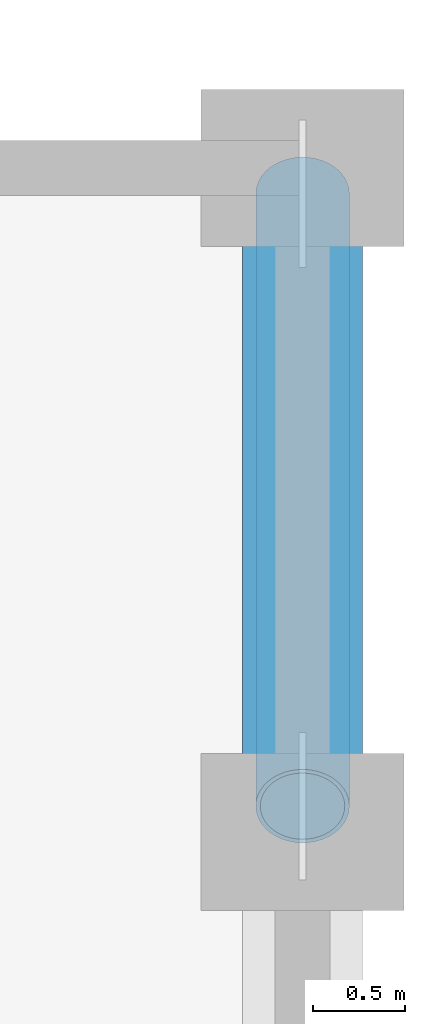
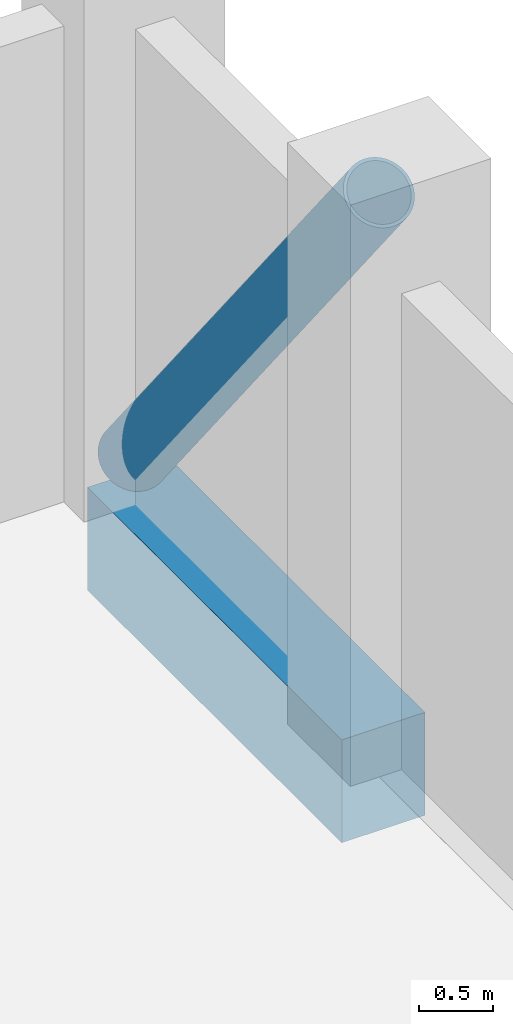
# One storey, part 13 of 22: 1 beam, 1 member.
"""IFC4 building model written with IfcOpenShell, lengths in metres."""

from ifc_helpers import new_model, si_unit, direction, frame, origin, origin_2d, place, context, subcontext, project, spatial, rectangle, hollow_circle, extrude, material, material_profile, profile_set, type_object, element, save


model = new_model("IFC4")

# Units and contexts
model_context = context("Model", 3, precision=1e-05, world=origin(), true_north=direction((0.0, 1.0)))
body_context = subcontext(model_context, "Body", "Model", "MODEL_VIEW")
ifc_project = project(units=[si_unit("LENGTHUNIT", "METRE"), si_unit("AREAUNIT", "SQUARE_METRE"), si_unit("VOLUMEUNIT", "CUBIC_METRE"), si_unit("PLANEANGLEUNIT", "RADIAN"), si_unit("MASSUNIT", "GRAM", prefix="KILO")], contexts=[model_context])

# Site, building, storey
site_placement = place(None, origin())
site = spatial("IfcSite", under=ifc_project, at=site_placement, CompositionType="ELEMENT")
building_placement = place(site_placement, origin())
building = spatial("IfcBuilding", under=site, at=building_placement, Name="Solnavia Interchange Tower", CompositionType="ELEMENT")
storey_placement = place(building_placement, frame((0.0, 0.0, 115.199951171875)))
storey = spatial("IfcBuildingStorey", under=building, at=storey_placement, Name="L28", CompositionType="ELEMENT", Elevation=115.199951171875)

# Beam
ifc_material_1 = material(Name="Concrete C50/60", Category="concrete")
ifc_material_profile_1 = material_profile(ifc_material_1, rectangle(XDim=0.64990234375, YDim=0.85009765625, at=origin_2d()), Name="RC 650x850")
ifc_profile_set_1 = profile_set([ifc_material_profile_1], Name="Concrete C50/60")
beam_type = type_object("IfcBeamType", Name="Beam-Spandrel-RC650x850", PredefinedType="SPANDREL", material=ifc_profile_set_1)
beam_placement = place(storey_placement, frame((57.60009765625, 18.080078125, -0.425048828125), z_axis=(0.0, 1.0, 0.0), x_axis=(-1.0, 0.0, 0.0)))
element("IfcBeam", 1, at=beam_placement, inside=storey, type_object=beam_type, Name="SPB-L28-20 Framed-tube perimeter spandrel beam", PredefinedType="SPANDREL", context=body_context, shape_type="SweptSolid", body=[
    extrude(rectangle(XDim=0.64990234375, YDim=0.85009765625, at=origin_2d()), origin(), (0.0, 0.0, 1.0), 3.43994140625),
])

# Member
ifc_material_2 = material(Name="Steel S460", Category="steel")
ifc_material_profile_2 = material_profile(ifc_material_2, hollow_circle(Radius=0.25390625, WallThickness=0.02490234375, at=origin_2d()), Name="CHS 508x25")
ifc_profile_set_2 = profile_set([ifc_material_profile_2], Name="Steel S460")
member_type = type_object("IfcMemberType", Name="Brace-Perim-CHS508", PredefinedType="BRACE", material=ifc_profile_set_2)
member_placement = place(storey_placement, frame((57.60009765625, 21.4599609375, 0.179931640625), z_axis=(0.0, -0.621029238576, 0.783787397726), x_axis=(1.0, 0.0, 0.0)))
element("IfcMember", 2, at=member_placement, inside=storey, type_object=member_type, Name="BRC-L28-03 Perimeter tube diagonal brace", PredefinedType="BRACE", context=body_context, shape_type="SweptSolid", body=[
    extrude(hollow_circle(Radius=0.25390625, WallThickness=0.02490234375, at=origin_2d()), origin(), (0.0, 0.0, 1.0), 5.34619140625),
])

save(model, "model.ifc")
